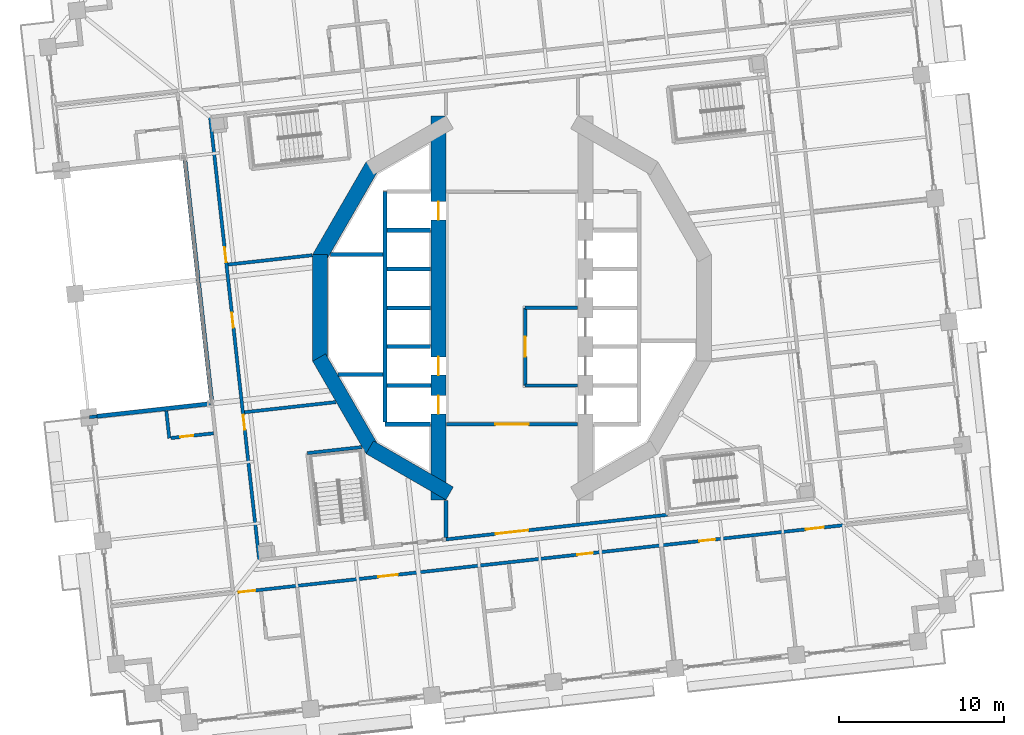
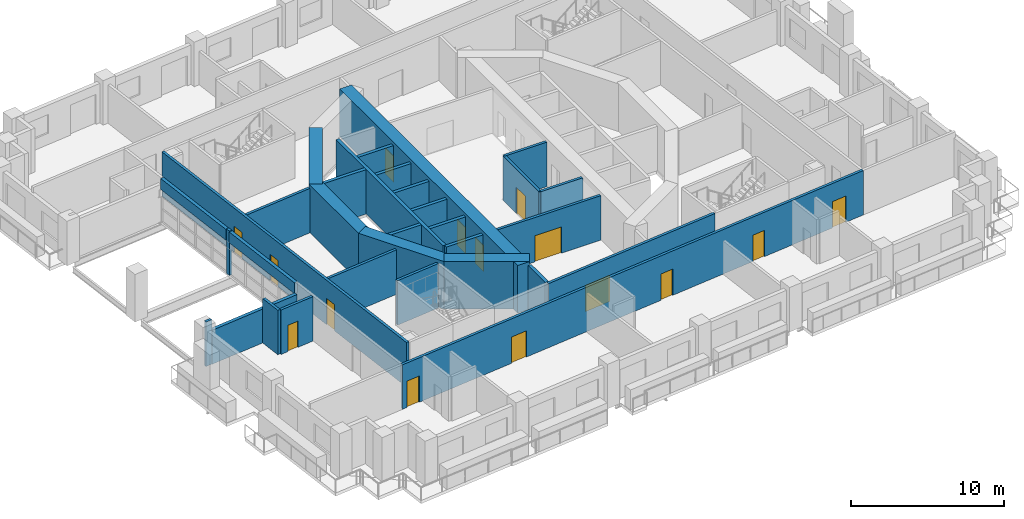
# One storey, part 8 of 21: 32 walls, 15 doors, 15 openings.
"""IFC4 building model written with IfcOpenShell, lengths in metres."""

from ifc_helpers import new_model, si_unit, direction, frame, frame_2d, origin, place, context, subcontext, project, spatial, rectangle, extrude, material, layer, layer_set, type_object, element, fill, save


model = new_model("IFC4")

# Units and contexts
model_context = context("Model", 3, precision=1e-05, world=origin(), true_north=direction((0.0, 1.0)))
body_context = subcontext(model_context, "Body", "Model", "MODEL_VIEW")
ifc_project = project(units=[si_unit("LENGTHUNIT", "METRE"), si_unit("AREAUNIT", "SQUARE_METRE"), si_unit("VOLUMEUNIT", "CUBIC_METRE"), si_unit("PLANEANGLEUNIT", "RADIAN"), si_unit("MASSUNIT", "GRAM", prefix="KILO")], contexts=[model_context])

# Site, building, storey
site_placement = place(None, origin())
site = spatial("IfcSite", under=ifc_project, at=site_placement, CompositionType="ELEMENT")
building_placement = place(site_placement, origin())
building = spatial("IfcBuilding", under=site, at=building_placement, Name="Cantera Rosa Tower", CompositionType="ELEMENT")
storey_placement = place(building_placement, frame((0.0, 0.0, 69.10009765625)))
storey = spatial("IfcBuildingStorey", under=building, at=storey_placement, Name="L14", CompositionType="ELEMENT", Elevation=69.10009765625)

# Wall
ifc_material_1 = material(Name="Gypsum board partition")
ifc_layer_1 = layer(ifc_material_1, 0.199951171875)
ifc_layer_set_1 = layer_set([ifc_layer_1], Name="CORRIDOR WALL 200 H3550")
wall_type_1 = type_object("IfcWallType", Name="CORRIDOR WALL 200 H3550", PredefinedType="PARTITIONING", material=ifc_layer_set_1)
wall_1_placement = place(storey_placement, frame((-19.01904296875, 1.839111328125, 0.0), z_axis=(0.0, 0.0, 1.0), x_axis=(0.110350781236, -0.993892703002, 0.0)))
element("IfcWall", 1, at=wall_1_placement, inside=storey, type_object=wall_type_1, Name="CORRIDOR WALL L14-008", PredefinedType="PARTITIONING", context=body_context, shape_type="SweptSolid", body=[
    extrude(rectangle(XDim=0.331787109375, YDim=0.199951171875, at=frame_2d((0.166015625, 0.0))), origin(), (0.0, 0.0, 1.0), 3.5498046875),
])

# Wall, openings, doors
wall_2_placement = place(storey_placement, frame((-18.2861328125, 11.55322265625, 0.0), z_axis=(0.0, 0.0, 1.0), x_axis=(0.110315409641, -0.993896629633, 0.0)))
wall_2 = element("IfcWall", 2, at=wall_2_placement, inside=storey, type_object=wall_type_1, Name="CORRIDOR WALL L14-011", PredefinedType="PARTITIONING", context=body_context, shape_type="SweptSolid", body=[
    extrude(rectangle(XDim=27.0, YDim=0.199951171875, at=frame_2d((13.5, 0.0))), origin(), (0.0, 0.0, 1.0), 3.5498046875),
])
opening_1_placement = place(wall_2_placement, frame((7.9423828125, 0.0, 0.0)))
opening_1 = element("IfcOpeningElement", 3, at=opening_1_placement, cuts=wall_2, Name="Opening L14-007", PredefinedType="OPENING", context=body_context, shape_type="SweptSolid", body=[
    extrude(rectangle(XDim=0.89990234375, YDim=2.10009765625, at=frame_2d((0.449951171875, 1.050048828125))), frame((0.0, 0.10986328125, 0.0), z_axis=(0.0, -1.0, 0.0), x_axis=(1.0, 0.0, 0.0)), (0.0, 0.0, 1.0), 0.219970703125),
])
opening_2_placement = place(wall_2_placement, frame((11.925048828125, 0.0, 0.0)))
opening_2 = element("IfcOpeningElement", 4, at=opening_2_placement, cuts=wall_2, Name="Opening L14-008", PredefinedType="OPENING", context=body_context, shape_type="SweptSolid", body=[
    extrude(rectangle(XDim=0.89990234375, YDim=2.10009765625, at=frame_2d((0.449951171875, 1.050048828125))), frame((0.0, 0.10986328125, 0.0), z_axis=(0.0, -1.0, 0.0), x_axis=(1.0, 0.0, 0.0)), (0.0, 0.0, 1.0), 0.219970703125),
])
opening_3_placement = place(wall_2_placement, frame((18.157470703125, 0.0, 0.0)))
opening_3 = element("IfcOpeningElement", 5, at=opening_3_placement, cuts=wall_2, Name="Opening L14-009", PredefinedType="OPENING", context=body_context, shape_type="SweptSolid", body=[
    extrude(rectangle(XDim=0.89990234375, YDim=2.10009765625, at=frame_2d((0.449951171875, 1.050048828125))), frame((0.0, 0.10986328125, 0.0), z_axis=(0.0, -1.0, 0.0), x_axis=(1.0, 0.0, 0.0)), (0.0, 0.0, 1.0), 0.219970703125),
])
ifc_material_2 = material(Name="Timber door leaf", Category="wood")
door_type_1 = type_object("IfcDoorType", Name="SERVICE DOOR 900x2100", OperationType="NOTDEFINED", PredefinedType="DOOR", material=ifc_material_2)
door_1_placement = place(opening_1_placement, origin())
door_1 = element("IfcDoor", 6, at=door_1_placement, inside=storey, type_object=door_type_1, Name="DOOR L14-007", OperationType="NOTDEFINED", OverallHeight=2.10009765625, OverallWidth=0.89990234375, PredefinedType="DOOR", context=body_context, shape_type="SweptSolid", body=[
    extrude(rectangle(XDim=0.89990234375, YDim=2.10009765625, at=frame_2d((0.449951171875, 1.050048828125))), frame((0.0, 0.02490234375, 0.0), z_axis=(0.0, -1.0, 0.0), x_axis=(1.0, 0.0, 0.0)), (0.0, 0.0, 1.0), 0.050048828125),
])
fill(opening_1, door_1)
door_2_placement = place(opening_2_placement, origin())
door_2 = element("IfcDoor", 7, at=door_2_placement, inside=storey, type_object=door_type_1, Name="DOOR L14-008", OperationType="NOTDEFINED", OverallHeight=2.10009765625, OverallWidth=0.89990234375, PredefinedType="DOOR", context=body_context, shape_type="SweptSolid", body=[
    extrude(rectangle(XDim=0.89990234375, YDim=2.10009765625, at=frame_2d((0.449951171875, 1.050048828125))), frame((0.0, 0.02490234375, 0.0), z_axis=(0.0, -1.0, 0.0), x_axis=(1.0, 0.0, 0.0)), (0.0, 0.0, 1.0), 0.050048828125),
])
fill(opening_2, door_2)
door_3_placement = place(opening_3_placement, origin())
door_3 = element("IfcDoor", 8, at=door_3_placement, inside=storey, type_object=door_type_1, Name="DOOR L14-009", OperationType="NOTDEFINED", OverallHeight=2.10009765625, OverallWidth=0.89990234375, PredefinedType="DOOR", context=body_context, shape_type="SweptSolid", body=[
    extrude(rectangle(XDim=0.89990234375, YDim=2.10009765625, at=frame_2d((0.449951171875, 1.050048828125))), frame((0.0, 0.02490234375, 0.0), z_axis=(0.0, -1.0, 0.0), x_axis=(1.0, 0.0, 0.0)), (0.0, 0.0, 1.0), 0.050048828125),
])
fill(opening_3, door_3)

wall_3_placement = place(storey_placement, frame((-16.898193359375, -17.26953125, 0.0), z_axis=(0.0, 0.0, 1.0), x_axis=(0.993896862852, 0.11031330841, 0.0)))
wall_3 = element("IfcWall", 9, at=wall_3_placement, inside=storey, type_object=wall_type_1, Name="CORRIDOR WALL L14-015", PredefinedType="PARTITIONING", context=body_context, shape_type="SweptSolid", body=[
    extrude(rectangle(XDim=37.400146484375, YDim=0.199951171875, at=frame_2d((18.7001953125, 0.0))), origin(), (0.0, 0.0, 1.0), 3.5498046875),
])
opening_4_placement = place(wall_3_placement, frame((8.85009765625, 0.0, 0.0)))
opening_4 = element("IfcOpeningElement", 10, at=opening_4_placement, cuts=wall_3, Name="Opening L14-037", PredefinedType="OPENING", context=body_context, shape_type="SweptSolid", body=[
    extrude(rectangle(XDim=1.199951171875, YDim=2.10009765625, at=frame_2d((0.60009765625, 1.050048828125))), frame((0.0, 0.10986328125, 0.0), z_axis=(0.0, -1.0, 0.0), x_axis=(1.0, 0.0, 0.0)), (0.0, 0.0, 1.0), 0.219970703125),
])
opening_5_placement = place(wall_3_placement, frame((20.97509765625, 0.0, 0.0)))
opening_5 = element("IfcOpeningElement", 11, at=opening_5_placement, cuts=wall_3, Name="Opening L14-038", PredefinedType="OPENING", context=body_context, shape_type="SweptSolid", body=[
    extrude(rectangle(XDim=0.949951171875, YDim=2.10009765625, at=frame_2d((0.47509765625, 1.050048828125))), frame((0.0, 0.10986328125, 0.0), z_axis=(0.0, -1.0, 0.0), x_axis=(1.0, 0.0, 0.0)), (0.0, 0.0, 1.0), 0.219970703125),
])
opening_6_placement = place(wall_3_placement, frame((28.425048828125, 0.0, 0.0)))
opening_6 = element("IfcOpeningElement", 12, at=opening_6_placement, cuts=wall_3, Name="Opening L14-040", PredefinedType="OPENING", context=body_context, shape_type="SweptSolid", body=[
    extrude(rectangle(XDim=0.949951171875, YDim=2.10009765625, at=frame_2d((0.47509765625, 1.050048828125))), frame((0.0, 0.10986328125, 0.0), z_axis=(0.0, -1.0, 0.0), x_axis=(1.0, 0.0, 0.0)), (0.0, 0.0, 1.0), 0.219970703125),
])
opening_7_placement = place(wall_3_placement, frame((0.35009765625, 0.0, 0.0)))
opening_7 = element("IfcOpeningElement", 13, at=opening_7_placement, cuts=wall_3, Name="Opening L14-042", PredefinedType="OPENING", context=body_context, shape_type="SweptSolid", body=[
    extrude(rectangle(XDim=1.0, YDim=2.10009765625, at=frame_2d((0.5, 1.050048828125))), frame((0.0, 0.10986328125, 0.0), z_axis=(0.0, -1.0, 0.0), x_axis=(1.0, 0.0, 0.0)), (0.0, 0.0, 1.0), 0.219970703125),
])
opening_8_placement = place(wall_3_placement, frame((34.89990234375, 0.0, 0.0)))
opening_8 = element("IfcOpeningElement", 14, at=opening_8_placement, cuts=wall_3, Name="Opening L14-044", PredefinedType="OPENING", context=body_context, shape_type="SweptSolid", body=[
    extrude(rectangle(XDim=1.10009765625, YDim=2.10009765625, at=frame_2d((0.550048828125, 1.050048828125))), frame((0.0, 0.10986328125, 0.0), z_axis=(0.0, -1.0, 0.0), x_axis=(1.0, 0.0, 0.0)), (0.0, 0.0, 1.0), 0.219970703125),
])
ifc_material_3 = material(Name="Timber door leaf", Category="wood")
door_type_2 = type_object("IfcDoorType", Name="ENTRANCE DOOR 1000x2100", OperationType="NOTDEFINED", PredefinedType="DOOR", material=ifc_material_3)
door_4_placement = place(opening_7_placement, origin())
door_4 = element("IfcDoor", 15, at=door_4_placement, inside=storey, type_object=door_type_2, Name="DOOR L14-042", OperationType="NOTDEFINED", OverallHeight=2.10009765625, OverallWidth=1.0, PredefinedType="DOOR", context=body_context, shape_type="SweptSolid", body=[
    extrude(rectangle(XDim=1.0, YDim=2.10009765625, at=frame_2d((0.5, 1.050048828125))), frame((0.0, 0.02490234375, 0.0), z_axis=(0.0, -1.0, 0.0), x_axis=(1.0, 0.0, 0.0)), (0.0, 0.0, 1.0), 0.050048828125),
])
fill(opening_7, door_4)
ifc_material_4 = material(Name="Timber door leaf", Category="wood")
door_type_3 = type_object("IfcDoorType", Name="ROOM DOOR 1100x2100", OperationType="NOTDEFINED", PredefinedType="DOOR", material=ifc_material_4)
door_5_placement = place(opening_8_placement, origin())
door_5 = element("IfcDoor", 16, at=door_5_placement, inside=storey, type_object=door_type_3, Name="DOOR L14-044", OperationType="NOTDEFINED", OverallHeight=2.10009765625, OverallWidth=1.10009765625, PredefinedType="DOOR", context=body_context, shape_type="SweptSolid", body=[
    extrude(rectangle(XDim=1.10009765625, YDim=2.10009765625, at=frame_2d((0.550048828125, 1.050048828125))), frame((0.0, 0.02490234375, 0.0), z_axis=(0.0, -1.0, 0.0), x_axis=(1.0, 0.0, 0.0)), (0.0, 0.0, 1.0), 0.050048828125),
])
fill(opening_8, door_5)
ifc_material_5 = material(Name="Timber door leaf", Category="wood")
door_type_4 = type_object("IfcDoorType", Name="ROOM DOOR 1200x2100", OperationType="NOTDEFINED", PredefinedType="DOOR", material=ifc_material_5)
door_6_placement = place(opening_4_placement, origin())
door_6 = element("IfcDoor", 17, at=door_6_placement, inside=storey, type_object=door_type_4, Name="DOOR L14-037", OperationType="NOTDEFINED", OverallHeight=2.10009765625, OverallWidth=1.199951171875, PredefinedType="DOOR", context=body_context, shape_type="SweptSolid", body=[
    extrude(rectangle(XDim=1.199951171875, YDim=2.10009765625, at=frame_2d((0.60009765625, 1.050048828125))), frame((0.0, 0.02490234375, 0.0), z_axis=(0.0, -1.0, 0.0), x_axis=(1.0, 0.0, 0.0)), (0.0, 0.0, 1.0), 0.050048828125),
])
fill(opening_4, door_6)
ifc_material_6 = material(Name="Timber door leaf", Category="wood")
door_type_5 = type_object("IfcDoorType", Name="ROOM DOOR 950x2100", OperationType="NOTDEFINED", PredefinedType="DOOR", material=ifc_material_6)
door_7_placement = place(opening_5_placement, origin())
door_7 = element("IfcDoor", 18, at=door_7_placement, inside=storey, type_object=door_type_5, Name="DOOR L14-038", OperationType="NOTDEFINED", OverallHeight=2.10009765625, OverallWidth=0.949951171875, PredefinedType="DOOR", context=body_context, shape_type="SweptSolid", body=[
    extrude(rectangle(XDim=0.949951171875, YDim=2.10009765625, at=frame_2d((0.47509765625, 1.050048828125))), frame((0.0, 0.02490234375, 0.0), z_axis=(0.0, -1.0, 0.0), x_axis=(1.0, 0.0, 0.0)), (0.0, 0.0, 1.0), 0.050048828125),
])
fill(opening_5, door_7)
door_8_placement = place(opening_6_placement, origin())
door_8 = element("IfcDoor", 19, at=door_8_placement, inside=storey, type_object=door_type_5, Name="DOOR L14-040", OperationType="NOTDEFINED", OverallHeight=2.10009765625, OverallWidth=0.949951171875, PredefinedType="DOOR", context=body_context, shape_type="SweptSolid", body=[
    extrude(rectangle(XDim=0.949951171875, YDim=2.10009765625, at=frame_2d((0.47509765625, 1.050048828125))), frame((0.0, 0.02490234375, 0.0), z_axis=(0.0, -1.0, 0.0), x_axis=(1.0, 0.0, 0.0)), (0.0, 0.0, 1.0), 0.050048828125),
])
fill(opening_6, door_8)

# Wall, opening, door
wall_4_placement = place(storey_placement, frame((-4.0, -14.02685546875, 0.0), z_axis=(0.0, 0.0, 1.0), x_axis=(0.993897619869, 0.110306487659, 0.0)))
wall_4 = element("IfcWall", 20, at=wall_4_placement, inside=storey, type_object=wall_type_1, Name="CORRIDOR WALL L14-049", PredefinedType="PARTITIONING", context=body_context, shape_type="SweptSolid", body=[
    extrude(rectangle(XDim=13.5009765625, YDim=0.199951171875, at=frame_2d((6.75048828125, 0.0))), origin(), (0.0, 0.0, 1.0), 3.5498046875),
])
opening_9_placement = place(wall_4_placement, frame((3.024658203125, 0.0, 0.0)))
opening_9 = element("IfcOpeningElement", 21, at=opening_9_placement, cuts=wall_4, Name="Opening L14-014", PredefinedType="OPENING", context=body_context, shape_type="SweptSolid", body=[
    extrude(rectangle(XDim=2.0, YDim=2.10009765625, at=frame_2d((1.0, 1.050048828125))), frame((0.0, 0.10986328125, 0.0), z_axis=(0.0, -1.0, 0.0), x_axis=(1.0, 0.0, 0.0)), (0.0, 0.0, 1.0), 0.219970703125),
])
ifc_material_7 = material(Name="Steel S355J2 (EN 10025-2)", Category="steel")
door_type_6 = type_object("IfcDoorType", Name="LOBBY SCREEN DOOR 2000x2100", OperationType="NOTDEFINED", PredefinedType="DOOR", material=ifc_material_7)
door_9_placement = place(opening_9_placement, origin())
door_9 = element("IfcDoor", 22, at=door_9_placement, inside=storey, type_object=door_type_6, Name="DOOR L14-014", OperationType="NOTDEFINED", OverallHeight=2.10009765625, OverallWidth=2.0, PredefinedType="DOOR", context=body_context, shape_type="SweptSolid", body=[
    extrude(rectangle(XDim=2.0, YDim=2.10009765625, at=frame_2d((1.0, 1.050048828125))), frame((0.0, 0.02490234375, 0.0), z_axis=(0.0, -1.0, 0.0), x_axis=(1.0, 0.0, 0.0)), (0.0, 0.0, 1.0), 0.050048828125),
])
fill(opening_9, door_9)

wall_5_placement = place(storey_placement, frame((3.969970703125, -7.050048828125, 0.0), z_axis=(0.0, 0.0, 1.0), x_axis=(-1.0, 0.0, 0.0)))
wall_5 = element("IfcWall", 23, at=wall_5_placement, inside=storey, type_object=wall_type_1, Name="CORRIDOR WALL L14-059", PredefinedType="PARTITIONING", context=body_context, shape_type="SweptSolid", body=[
    extrude(rectangle(XDim=7.93994140625, YDim=0.199951171875, at=frame_2d((3.969970703125, 0.0))), origin(), (0.0, 0.0, 1.0), 3.5498046875),
])
opening_10_placement = place(wall_5_placement, frame((2.969970703125, 0.0, 0.0)))
opening_10 = element("IfcOpeningElement", 24, at=opening_10_placement, cuts=wall_5, Name="Opening L14-015", PredefinedType="OPENING", context=body_context, shape_type="SweptSolid", body=[
    extrude(rectangle(XDim=2.0, YDim=2.10009765625, at=frame_2d((1.0, 1.050048828125))), frame((0.0, 0.10986328125, 0.0), z_axis=(0.0, -1.0, 0.0), x_axis=(1.0, 0.0, 0.0)), (0.0, 0.0, 1.0), 0.219970703125),
])
door_10_placement = place(opening_10_placement, origin())
door_10 = element("IfcDoor", 25, at=door_10_placement, inside=storey, type_object=door_type_6, Name="DOOR L14-015", OperationType="NOTDEFINED", OverallHeight=2.10009765625, OverallWidth=2.0, PredefinedType="DOOR", context=body_context, shape_type="SweptSolid", body=[
    extrude(rectangle(XDim=2.0, YDim=2.10009765625, at=frame_2d((1.0, 1.050048828125))), frame((0.0, 0.02490234375, 0.0), z_axis=(0.0, -1.0, 0.0), x_axis=(1.0, 0.0, 0.0)), (0.0, 0.0, 1.0), 0.050048828125),
])
fill(opening_10, door_10)

# Walls
ifc_material_8 = material(Name="Concrete C40/50", Category="concrete")
ifc_layer_2 = layer(ifc_material_8, 0.25)
ifc_layer_set_2 = layer_set([ifc_layer_2], Name="EW-POCKET CHEEK 250 H2710")
wall_type_2 = type_object("IfcWallType", Name="EW-POCKET CHEEK 250 H2710", PredefinedType="SOLIDWALL", material=ifc_layer_set_2)
wall_6_placement = place(storey_placement, frame((-25.12841796875, -6.572021484375, 0.0), z_axis=(0.0, 0.0, 1.0), x_axis=(0.993899689646, 0.11028783669, 0.0)))
element("IfcWall", 26, at=wall_6_placement, inside=storey, type_object=wall_type_2, Name="POCKET CHEEK B L14", PredefinedType="SOLIDWALL", context=body_context, shape_type="SweptSolid", body=[
    extrude(rectangle(XDim=6.89990234375, YDim=0.25, at=frame_2d((3.449951171875, 0.0))), origin(), (0.0, 0.0, 1.0), 2.7099609375),
])
ifc_material_9 = material(Name="Hollow clay masonry with cantera stone cladding", Category="masonry")
ifc_layer_3 = layer(ifc_material_9, 0.25)
ifc_layer_set_3 = layer_set([ifc_layer_3], Name="EW-POCKET REAR 250")
wall_type_3 = type_object("IfcWallType", Name="EW-POCKET REAR 250", PredefinedType="SOLIDWALL", material=ifc_layer_set_3)
for number, where, z_axis, x_axis, name in (
    (27, (-19.81640625, 9.024169921875, 2.6337890625), (0.0, 0.0, 1.0), (0.110298086026, -0.993898552277, 0.0), "POCKET SPANDREL L14-1"),
    (28, (-18.982421875, 1.50927734375, 2.6337890625), (0.0, 0.0, 1.0), (0.110331446597, -0.993894849515, 0.0), "POCKET SPANDREL L14-2"),
):
    element("IfcWall", number, at=place(storey_placement, frame(where, z_axis=z_axis, x_axis=x_axis)), inside=storey, type_object=wall_type_3, Name=name, PredefinedType="SOLIDWALL", context=body_context, shape_type="SweptSolid", body=[
        extrude(rectangle(XDim=7.229248046875, YDim=0.25, at=frame_2d((3.61474609375, 0.0))), origin(), (0.0, 0.0, 1.0), 0.8662109375),
    ])
ifc_material_10 = material(Name="Gypsum board partition")
ifc_layer_4 = layer(ifc_material_10, 0.199951171875)
ifc_layer_set_4 = layer_set([ifc_layer_4], Name="PARTITION 200 H3550")
wall_type_4 = type_object("IfcWallType", Name="PARTITION 200 H3550", PredefinedType="PARTITIONING", material=ifc_layer_set_4)
wall_7_placement = place(storey_placement, frame((-25.595458984375, -6.623779296875, 0.0), z_axis=(0.0, 0.0, 1.0), x_axis=(0.993915374171, 0.110146397974, 0.0)))
element("IfcWall", 29, at=wall_7_placement, inside=storey, type_object=wall_type_4, Name="PARTITION L14-001", PredefinedType="PARTITIONING", context=body_context, shape_type="SweptSolid", body=[
    extrude(rectangle(XDim=0.469970703125, YDim=0.199951171875, at=frame_2d((0.23486328125, 0.0))), origin(), (0.0, 0.0, 1.0), 3.5498046875),
])
wall_8_placement = place(storey_placement, frame((-20.75537109375, -7.897705078125, 0.0), z_axis=(0.0, 0.0, 1.0), x_axis=(-0.11041543208, 0.993885522763, 0.0)))
element("IfcWall", 30, at=wall_8_placement, inside=storey, type_object=wall_type_4, Name="PARTITION L14-005", PredefinedType="PARTITIONING", context=body_context, shape_type="SweptSolid", body=[
    extrude(rectangle(XDim=1.6650390625, YDim=0.199951171875, at=frame_2d((0.83251953125, 0.0))), origin(), (0.0, 0.0, 1.0), 3.5498046875),
])

# Wall, opening, door
wall_9_placement = place(storey_placement, frame((-18.072021484375, -7.599853515625, 0.0), z_axis=(0.0, 0.0, 1.0), x_axis=(-0.993894037028, -0.110338765449, 0.0)))
wall_9 = element("IfcWall", 31, at=wall_9_placement, inside=storey, type_object=wall_type_4, Name="PARTITION L14-013", PredefinedType="PARTITIONING", context=body_context, shape_type="SweptSolid", body=[
    extrude(rectangle(XDim=2.599853515625, YDim=0.199951171875, at=frame_2d((1.2998046875, 0.0))), origin(), (0.0, 0.0, 1.0), 3.5498046875),
])
opening_11_placement = place(wall_9_placement, frame((1.236083984375, 0.0, 0.0)))
opening_11 = element("IfcOpeningElement", 32, at=opening_11_placement, cuts=wall_9, Name="Opening L14-036", PredefinedType="OPENING", context=body_context, shape_type="SweptSolid", body=[
    extrude(rectangle(XDim=0.800048828125, YDim=2.10009765625, at=frame_2d((0.39990234375, 1.050048828125))), frame((0.0, 0.10986328125, 0.0), z_axis=(0.0, -1.0, 0.0), x_axis=(1.0, 0.0, 0.0)), (0.0, 0.0, 1.0), 0.219970703125),
])
ifc_material_11 = material(Name="Timber door leaf", Category="wood")
door_type_7 = type_object("IfcDoorType", Name="BATHROOM DOOR 800x2100", OperationType="NOTDEFINED", PredefinedType="DOOR", material=ifc_material_11)
door_11_placement = place(opening_11_placement, origin())
door_11 = element("IfcDoor", 33, at=door_11_placement, inside=storey, type_object=door_type_7, Name="DOOR L14-036", OperationType="NOTDEFINED", OverallHeight=2.10009765625, OverallWidth=0.800048828125, PredefinedType="DOOR", context=body_context, shape_type="SweptSolid", body=[
    extrude(rectangle(XDim=0.800048828125, YDim=2.10009765625, at=frame_2d((0.39990234375, 1.050048828125))), frame((0.0, 0.02490234375, 0.0), z_axis=(0.0, -1.0, 0.0), x_axis=(1.0, 0.0, 0.0)), (0.0, 0.0, 1.0), 0.050048828125),
])
fill(opening_11, door_11)

# Walls
wall_10_placement = place(storey_placement, frame((-12.10400390625, 3.18408203125, 0.0), z_axis=(0.0, 0.0, 1.0), x_axis=(-0.993901744429, -0.110269317674, 0.0)))
element("IfcWall", 34, at=wall_10_placement, inside=storey, type_object=wall_type_4, Name="PARTITION L14-027", PredefinedType="PARTITIONING", context=body_context, shape_type="SweptSolid", body=[
    extrude(rectangle(XDim=5.12109375, YDim=0.199951171875, at=frame_2d((2.560546875, 0.0))), origin(), (0.0, 0.0, 1.0), 3.5498046875),
])
wall_11_placement = place(storey_placement, frame((-10.67822265625, -5.712890625, 0.0), z_axis=(0.0, 0.0, 1.0), x_axis=(-0.993900868117, -0.110277215939, 0.0)))
element("IfcWall", 35, at=wall_11_placement, inside=storey, type_object=wall_type_4, Name="PARTITION L14-032", PredefinedType="PARTITIONING", context=body_context, shape_type="SweptSolid", body=[
    extrude(rectangle(XDim=5.556884765625, YDim=0.199951171875, at=frame_2d((2.7783203125, 0.0))), origin(), (0.0, 0.0, 1.0), 3.5498046875),
])
ifc_material_12 = material(Name="Concrete C70/85", Category="concrete")
ifc_layer_5 = layer(ifc_material_12, 0.89990234375)
ifc_layer_set_5 = layer_set([ifc_layer_5], Name="RC CORE WALL 900 C70/85")
wall_type_5 = type_object("IfcWallType", Name="RC CORE WALL 900 C70/85", PredefinedType="SHEAR", material=ifc_layer_set_5)
wall_12_placement = place(storey_placement, frame((-3.77490234375, -11.242919921875, 0.0), z_axis=(0.0, 0.0, 1.0), x_axis=(-0.866026961591, 0.49999730179, 0.0)))
element("IfcWall", 36, at=wall_12_placement, inside=storey, type_object=wall_type_5, Name="CW-W1 L14", PredefinedType="SHEAR", context=body_context, shape_type="SweptSolid", body=[
    extrude(rectangle(XDim=5.58740234375, YDim=0.89990234375, at=frame_2d((2.793701171875, 0.0))), origin(), (0.0, 0.0, 1.0), 3.7998046875),
])
wall_13_placement = place(storey_placement, frame((-8.44921875, -8.61376953125, 0.0), z_axis=(0.0, 0.0, 1.0), x_axis=(-0.499990282633, 0.866031014036, 0.0)))
element("IfcWall", 37, at=wall_13_placement, inside=storey, type_object=wall_type_5, Name="CW-W2 L14", PredefinedType="SHEAR", context=body_context, shape_type="SweptSolid", body=[
    extrude(rectangle(XDim=6.470458984375, YDim=0.89990234375, at=frame_2d((3.2353515625, 0.0))), origin(), (0.0, 0.0, 1.0), 3.7998046875),
])
wall_14_placement = place(storey_placement, frame((-11.6240234375, -3.2353515625, 0.0), z_axis=(0.0, 0.0, 1.0), x_axis=(0.0, 1.0, 0.0)))
element("IfcWall", 38, at=wall_14_placement, inside=storey, type_object=wall_type_5, Name="CW-W3 L14", PredefinedType="SHEAR", context=body_context, shape_type="SweptSolid", body=[
    extrude(rectangle(XDim=6.470703125, YDim=0.89990234375, at=frame_2d((3.2353515625, 0.0))), origin(), (0.0, 0.0, 1.0), 3.7998046875),
])
wall_15_placement = place(storey_placement, frame((-11.684326171875, 3.01025390625, 0.0), z_axis=(0.0, 0.0, 1.0), x_axis=(0.499990282633, 0.866031014036, 0.0)))
element("IfcWall", 39, at=wall_15_placement, inside=storey, type_object=wall_type_5, Name="CW-W4 L14", PredefinedType="SHEAR", context=body_context, shape_type="SweptSolid", body=[
    extrude(rectangle(XDim=6.470458984375, YDim=0.89990234375, at=frame_2d((3.2353515625, 0.0))), origin(), (0.0, 0.0, 1.0), 3.7998046875),
])

# Wall, openings, doors
wall_16_placement = place(storey_placement, frame((-4.449951171875, 11.632568359375, 0.0), z_axis=(0.0, 0.0, 1.0), x_axis=(0.0, -1.0, 0.0)))
wall_16 = element("IfcWall", 40, at=wall_16_placement, inside=storey, type_object=wall_type_5, Name="CW-W6 L14", PredefinedType="SHEAR", context=body_context, shape_type="SweptSolid", body=[
    extrude(rectangle(XDim=23.26513671875, YDim=0.89990234375, at=frame_2d((11.632568359375, 0.0))), origin(), (0.0, 0.0, 1.0), 3.7998046875),
])
opening_12_placement = place(wall_16_placement, frame((14.607421875, 0.0, 0.0)))
opening_12 = element("IfcOpeningElement", 41, at=opening_12_placement, cuts=wall_16, Name="Opening LD-P3-L14", PredefinedType="OPENING", context=body_context, shape_type="SweptSolid", body=[
    extrude(rectangle(XDim=1.10009765625, YDim=2.10009765625, at=frame_2d((0.550048828125, 1.050048828125))), frame((0.0, 0.4599609375, 0.0), z_axis=(0.0, -1.0, 0.0), x_axis=(1.0, 0.0, 0.0)), (0.0, 0.0, 1.0), 0.919921875),
])
opening_13_placement = place(wall_16_placement, frame((16.95751953125, 0.0, 0.0)))
opening_13 = element("IfcOpeningElement", 42, at=opening_13_placement, cuts=wall_16, Name="Opening LD-P4-L14", PredefinedType="OPENING", context=body_context, shape_type="SweptSolid", body=[
    extrude(rectangle(XDim=1.10009765625, YDim=2.10009765625, at=frame_2d((0.550048828125, 1.050048828125))), frame((0.0, 0.4599609375, 0.0), z_axis=(0.0, -1.0, 0.0), x_axis=(1.0, 0.0, 0.0)), (0.0, 0.0, 1.0), 0.919921875),
])
opening_14_placement = place(wall_16_placement, frame((5.20751953125, 0.0, 0.0)))
opening_14 = element("IfcOpeningElement", 43, at=opening_14_placement, cuts=wall_16, Name="Opening LD-P5-L14", PredefinedType="OPENING", context=body_context, shape_type="SweptSolid", body=[
    extrude(rectangle(XDim=1.10009765625, YDim=2.10009765625, at=frame_2d((0.550048828125, 1.050048828125))), frame((0.0, 0.4599609375, 0.0), z_axis=(0.0, -1.0, 0.0), x_axis=(1.0, 0.0, 0.0)), (0.0, 0.0, 1.0), 0.919921875),
])
ifc_material_13 = material(Name="Steel S355J2 (EN 10025-2)", Category="steel")
door_type_8 = type_object("IfcDoorType", Name="LANDING DOOR 1100x2100", OperationType="NOTDEFINED", PredefinedType="DOOR", material=ifc_material_13)
door_12_placement = place(opening_12_placement, origin())
door_12 = element("IfcDoor", 44, at=door_12_placement, inside=storey, type_object=door_type_8, Name="LANDING DOOR P3 L14", OperationType="SLIDING_TO_LEFT", OverallHeight=2.10009765625, OverallWidth=1.10009765625, PredefinedType="DOOR", context=body_context, shape_type="SweptSolid", body=[
    extrude(rectangle(XDim=1.10009765625, YDim=2.10009765625, at=frame_2d((0.550048828125, 1.050048828125))), frame((0.0, 0.02490234375, 0.0), z_axis=(0.0, -1.0, 0.0), x_axis=(1.0, 0.0, 0.0)), (0.0, 0.0, 1.0), 0.050048828125),
])
fill(opening_12, door_12)
door_13_placement = place(opening_13_placement, origin())
door_13 = element("IfcDoor", 45, at=door_13_placement, inside=storey, type_object=door_type_8, Name="LANDING DOOR P4 L14", OperationType="SLIDING_TO_LEFT", OverallHeight=2.10009765625, OverallWidth=1.10009765625, PredefinedType="DOOR", context=body_context, shape_type="SweptSolid", body=[
    extrude(rectangle(XDim=1.10009765625, YDim=2.10009765625, at=frame_2d((0.550048828125, 1.050048828125))), frame((0.0, 0.02490234375, 0.0), z_axis=(0.0, -1.0, 0.0), x_axis=(1.0, 0.0, 0.0)), (0.0, 0.0, 1.0), 0.050048828125),
])
fill(opening_13, door_13)
door_14_placement = place(opening_14_placement, origin())
door_14 = element("IfcDoor", 46, at=door_14_placement, inside=storey, type_object=door_type_8, Name="LANDING DOOR P5 L14", OperationType="SLIDING_TO_LEFT", OverallHeight=2.10009765625, OverallWidth=1.10009765625, PredefinedType="DOOR", context=body_context, shape_type="SweptSolid", body=[
    extrude(rectangle(XDim=1.10009765625, YDim=2.10009765625, at=frame_2d((0.550048828125, 1.050048828125))), frame((0.0, 0.02490234375, 0.0), z_axis=(0.0, -1.0, 0.0), x_axis=(1.0, 0.0, 0.0)), (0.0, 0.0, 1.0), 0.050048828125),
])
fill(opening_14, door_14)

# Walls
ifc_material_14 = material(Name="Masonry blockwork", Category="masonry")
ifc_layer_6 = layer(ifc_material_14, 0.25)
ifc_layer_set_6 = layer_set([ifc_layer_6], Name="SHAFT WALL 250 H3550")
wall_type_6 = type_object("IfcWallType", Name="SHAFT WALL 250 H3550", PredefinedType="SOLIDWALL", material=ifc_layer_set_6)
wall_17_placement = place(storey_placement, frame((-11.0068359375, 3.2236328125, 0.0), z_axis=(0.0, 0.0, 1.0), x_axis=(1.0, 0.0, 0.0)))
element("IfcWall", 47, at=wall_17_placement, inside=storey, type_object=wall_type_6, Name="SHAFT WALL L14-030", PredefinedType="SOLIDWALL", context=body_context, shape_type="SweptSolid", body=[
    extrude(rectangle(XDim=3.181884765625, YDim=0.25, at=frame_2d((1.5908203125, 0.0))), origin(), (0.0, 0.0, 1.0), 3.5498046875),
])
wall_18_placement = place(storey_placement, frame((-10.54150390625, -4.029541015625, 0.0), z_axis=(0.0, 0.0, 1.0), x_axis=(1.0, 0.0, 0.0)))
element("IfcWall", 48, at=wall_18_placement, inside=storey, type_object=wall_type_6, Name="SHAFT WALL L14-033", PredefinedType="SOLIDWALL", context=body_context, shape_type="SweptSolid", body=[
    extrude(rectangle(XDim=2.716552734375, YDim=0.25, at=frame_2d((1.3583984375, 0.0))), origin(), (0.0, 0.0, 1.0), 3.5498046875),
])
wall_19_placement = place(storey_placement, frame((-7.699951171875, -7.050048828125, 0.0), z_axis=(0.0, 0.0, 1.0), x_axis=(1.0, 0.0, 0.0)))
element("IfcWall", 49, at=wall_19_placement, inside=storey, type_object=wall_type_6, Name="SHAFT WALL L14-040", PredefinedType="SOLIDWALL", context=body_context, shape_type="SweptSolid", body=[
    extrude(rectangle(XDim=2.77001953125, YDim=0.25, at=frame_2d((1.385009765625, 0.0))), origin(), (0.0, 0.0, 1.0), 3.5498046875),
])
wall_20_placement = place(storey_placement, frame((-7.574951171875, -4.699951171875, 0.0), z_axis=(0.0, 0.0, 1.0), x_axis=(1.0, 0.0, 0.0)))
element("IfcWall", 50, at=wall_20_placement, inside=storey, type_object=wall_type_6, Name="SHAFT WALL L14-041", PredefinedType="SOLIDWALL", context=body_context, shape_type="SweptSolid", body=[
    extrude(rectangle(XDim=2.675048828125, YDim=0.25, at=frame_2d((1.33740234375, 0.0))), origin(), (0.0, 0.0, 1.0), 3.5498046875),
])
for number, where, z_axis, x_axis, name in (
    (51, (-7.574951171875, -2.35009765625, 0.0), (0.0, 0.0, 1.0), (1.0, 0.0, 0.0), "SHAFT WALL L14-042"),
    (52, (-7.574951171875, 0.0, 0.0), (0.0, 0.0, 1.0), (1.0, 0.0, 0.0), "SHAFT WALL L14-043"),
    (53, (-7.574951171875, 2.35009765625, 0.0), (0.0, 0.0, 1.0), (1.0, 0.0, 0.0), "SHAFT WALL L14-044"),
    (54, (-7.574951171875, 4.699951171875, 0.0), (0.0, 0.0, 1.0), (1.0, 0.0, 0.0), "SHAFT WALL L14-045"),
):
    element("IfcWall", number, at=place(storey_placement, frame(where, z_axis=z_axis, x_axis=x_axis)), inside=storey, type_object=wall_type_6, Name=name, PredefinedType="SOLIDWALL", context=body_context, shape_type="SweptSolid", body=[
        extrude(rectangle(XDim=2.64501953125, YDim=0.25, at=frame_2d((1.322509765625, 0.0))), origin(), (0.0, 0.0, 1.0), 3.5498046875),
    ])
wall_21_placement = place(storey_placement, frame((-7.699951171875, 7.050048828125, 0.0), z_axis=(0.0, 0.0, 1.0), x_axis=(0.0, -1.0, 0.0)))
element("IfcWall", 55, at=wall_21_placement, inside=storey, type_object=wall_type_6, Name="SHAFT WALL L14-046", PredefinedType="SOLIDWALL", context=body_context, shape_type="SweptSolid", body=[
    extrude(rectangle(XDim=13.97998046875, YDim=0.25, at=frame_2d((6.989990234375, 0.0))), origin(), (0.0, 0.0, 1.0), 3.5498046875),
])
wall_22_placement = place(storey_placement, frame((-4.0, -11.667236328125, 0.0), z_axis=(0.0, 0.0, 1.0), x_axis=(0.0, -1.0, 0.0)))
element("IfcWall", 56, at=wall_22_placement, inside=storey, type_object=wall_type_6, Name="SHAFT WALL L14-050", PredefinedType="SOLIDWALL", context=body_context, shape_type="SweptSolid", body=[
    extrude(rectangle(XDim=2.23974609375, YDim=0.25, at=frame_2d((1.119873046875, 0.0))), origin(), (0.0, 0.0, 1.0), 3.5498046875),
])
ifc_material_15 = material(Name="Concrete C50/60", Category="concrete")
ifc_layer_7 = layer(ifc_material_15, 0.199951171875)
ifc_layer_set_7 = layer_set([ifc_layer_7], Name="STAIR WALL 200 H3550")
wall_type_7 = type_object("IfcWallType", Name="STAIR WALL 200 H3550", PredefinedType="SOLIDWALL", material=ifc_layer_set_7)
wall_23_placement = place(storey_placement, frame((-9.10498046875, -8.437744140625, 0.0), z_axis=(0.0, 0.0, 1.0), x_axis=(-0.993897215684, -0.110310129436, 0.0)))
element("IfcWall", 57, at=wall_23_placement, inside=storey, type_object=wall_type_7, Name="STAIR WALL L14-036", PredefinedType="SOLIDWALL", context=body_context, shape_type="SweptSolid", body=[
    extrude(rectangle(XDim=3.31103515625, YDim=0.199951171875, at=frame_2d((1.655517578125, 0.0))), origin(), (0.0, 0.0, 1.0), 3.5498046875),
])

# Wall, opening, door
wall_24_placement = place(storey_placement, frame((0.800048828125, -4.699951171875, 0.0), z_axis=(0.0, 0.0, 1.0), x_axis=(0.0, 1.0, 0.0)))
wall_24 = element("IfcWall", 58, at=wall_24_placement, inside=storey, type_object=wall_type_7, Name="STAIR WALL L14-056", PredefinedType="SOLIDWALL", context=body_context, shape_type="SweptSolid", body=[
    extrude(rectangle(XDim=4.699951171875, YDim=0.199951171875, at=frame_2d((2.35009765625, 0.0))), origin(), (0.0, 0.0, 1.0), 3.5498046875),
])
opening_15_placement = place(wall_24_placement, frame((1.75, 0.0, 0.0)))
opening_15 = element("IfcOpeningElement", 59, at=opening_15_placement, cuts=wall_24, Name="Opening L14-016", PredefinedType="OPENING", context=body_context, shape_type="SweptSolid", body=[
    extrude(rectangle(XDim=1.199951171875, YDim=2.10009765625, at=frame_2d((0.60009765625, 1.050048828125))), frame((0.0, 0.10986328125, 0.0), z_axis=(0.0, -1.0, 0.0), x_axis=(1.0, 0.0, 0.0)), (0.0, 0.0, 1.0), 0.219970703125),
])
ifc_material_16 = material(Name="Steel S355J2 (EN 10025-2)", Category="steel")
door_type_9 = type_object("IfcDoorType", Name="FIRE DOOR 1200x2100", OperationType="NOTDEFINED", PredefinedType="DOOR", material=ifc_material_16)
door_15_placement = place(opening_15_placement, origin())
door_15 = element("IfcDoor", 60, at=door_15_placement, inside=storey, type_object=door_type_9, Name="DOOR L14-016", OperationType="NOTDEFINED", OverallHeight=2.10009765625, OverallWidth=1.199951171875, PredefinedType="DOOR", context=body_context, shape_type="SweptSolid", body=[
    extrude(rectangle(XDim=1.199951171875, YDim=2.10009765625, at=frame_2d((0.60009765625, 1.050048828125))), frame((0.0, 0.02490234375, 0.0), z_axis=(0.0, -1.0, 0.0), x_axis=(1.0, 0.0, 0.0)), (0.0, 0.0, 1.0), 0.050048828125),
])
fill(opening_15, door_15)

# Walls
for number, where, z_axis, x_axis, name in (
    (61, (0.800048828125, 0.0, 0.0), (0.0, 0.0, 1.0), (1.0, 0.0, 0.0), "STAIR WALL L14-057"),
    (62, (3.969970703125, -4.699951171875, 0.0), (0.0, 0.0, 1.0), (-1.0, 0.0, 0.0), "STAIR WALL L14-060"),
):
    element("IfcWall", number, at=place(storey_placement, frame(where, z_axis=z_axis, x_axis=x_axis)), inside=storey, type_object=wall_type_7, Name=name, PredefinedType="SOLIDWALL", context=body_context, shape_type="SweptSolid", body=[
        extrude(rectangle(XDim=3.169921875, YDim=0.199951171875, at=frame_2d((1.5849609375, 0.0))), origin(), (0.0, 0.0, 1.0), 3.5498046875),
    ])

save(model, "model.ifc")
